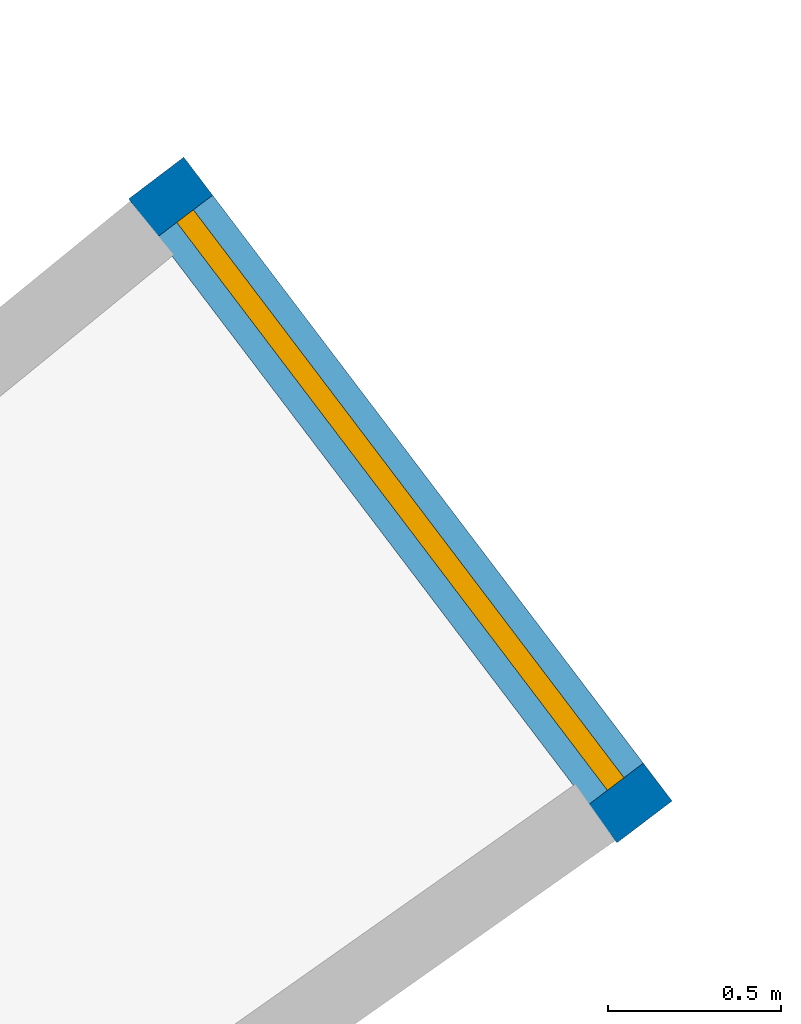
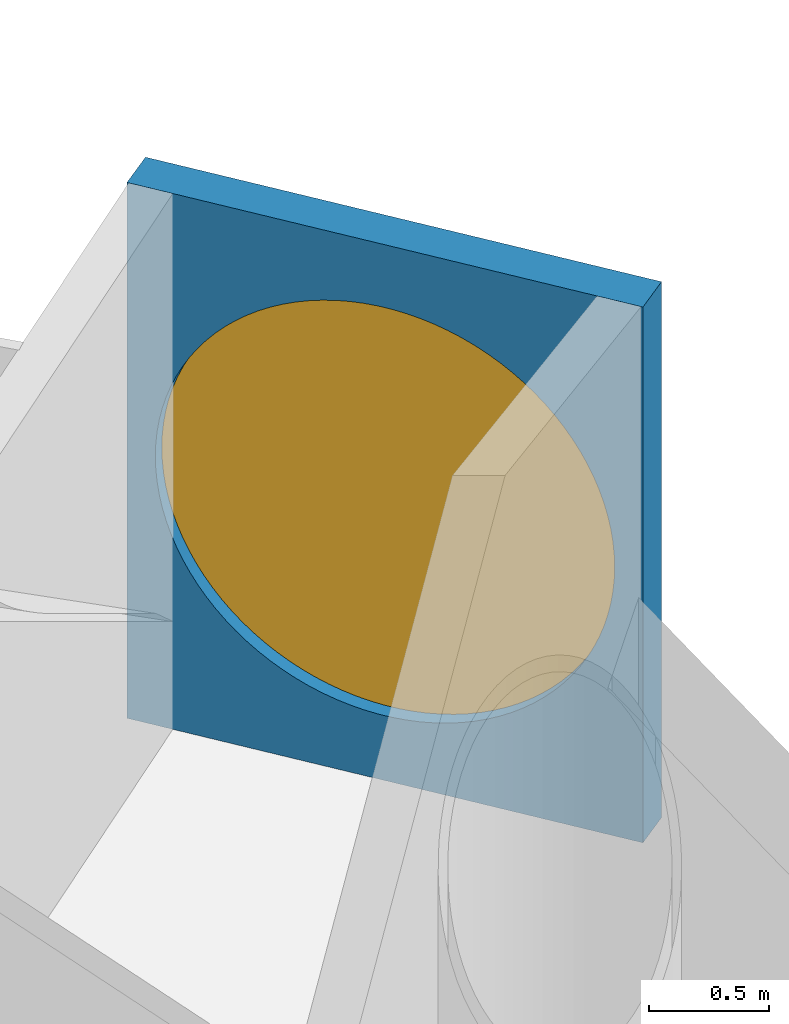
# One storey, part 23 of 26: 1 wall, 1 window, 1 opening.
"""IFC4 building model written with IfcOpenShell, lengths in metres."""

from ifc_helpers import new_model, si_unit, direction, frame, frame_2d, origin, place, context, subcontext, project, spatial, rectangle, circle, extrude, material, layer, layer_set, type_object, element, fill, save


model = new_model("IFC4")

# Units and contexts
model_context = context("Model", 3, precision=1e-05, world=origin(), true_north=direction((0.0, 1.0)))
body_context = subcontext(model_context, "Body", "Model", "MODEL_VIEW")
ifc_project = project(units=[si_unit("LENGTHUNIT", "METRE"), si_unit("AREAUNIT", "SQUARE_METRE"), si_unit("VOLUMEUNIT", "CUBIC_METRE"), si_unit("PLANEANGLEUNIT", "RADIAN"), si_unit("MASSUNIT", "GRAM", prefix="KILO")], contexts=[model_context])

# Site, building, storey
site_placement = place(None, origin())
site = spatial("IfcSite", under=ifc_project, at=site_placement, CompositionType="ELEMENT")
building_placement = place(site_placement, origin())
building = spatial("IfcBuilding", under=site, at=building_placement, Name="Maasbend Ring Residences", CompositionType="ELEMENT")
storey_placement = place(building_placement, frame((0.0, 0.0, 78.85009765625)))
storey = spatial("IfcBuildingStorey", under=building, at=storey_placement, Name="L22", CompositionType="ELEMENT", Elevation=78.85009765625)

# Wall, opening, window
ifc_material_1 = material(Name="Pale anodised aluminium panel", Category="aluminium")
ifc_layer = layer(ifc_material_1, 0.199951171875)
ifc_layer_set = layer_set([ifc_layer], Name="EW-BOX")
wall_type = type_object("IfcWallType", Name="EW-BOX", PredefinedType="SOLIDWALL", material=ifc_layer_set)
wall_placement = place(storey_placement, frame((24.908935546875, 17.427001953125, -0.030029296875), z_axis=(0.0, 0.0, 1.0), x_axis=(-0.60418752353, 0.796842165306, 0.0)))
wall = element("IfcWall", 1, at=wall_placement, inside=storey, type_object=wall_type, Name="Box front N01", PredefinedType="SOLIDWALL", context=body_context, shape_type="SweptSolid", body=[
    extrude(rectangle(XDim=2.3369140625, YDim=0.199951171875, at=frame_2d((1.16845703125, 0.0))), origin(), (0.0, 0.0, 1.0), 2.72998046875),
])
opening_placement = place(wall_placement, frame((0.128173828125, 0.0, 0.330078125)))
opening = element("IfcOpeningElement", 2, at=opening_placement, cuts=wall, Name="Opening W-RD", PredefinedType="OPENING", context=body_context, shape_type="SweptSolid", body=[
    extrude(circle(Radius=1.0400390625, at=frame_2d((1.0400390625, 1.0400390625))), frame((0.0, 0.10986328125, 0.0), z_axis=(0.0, -1.0, 0.0), x_axis=(1.0, 0.0, 0.0)), (0.0, 0.0, 1.0), 0.219970703125),
])
ifc_material_2 = material(Name="Aluminium and clear glass", Category="aluminium")
window_type = type_object("IfcWindowType", Name="W-RD", PartitioningType="SINGLE_PANEL", PredefinedType="WINDOW", material=ifc_material_2)
window_placement = place(opening_placement, origin())
window = element("IfcWindow", 3, at=window_placement, inside=storey, type_object=window_type, Name="Round window N01", OverallHeight=2.080078125, OverallWidth=2.080078125, PartitioningType="SINGLE_PANEL", PredefinedType="WINDOW", context=body_context, shape_type="SweptSolid", body=[
    extrude(circle(Radius=1.0400390625, at=frame_2d((1.0400390625, 1.0400390625))), frame((0.0, 0.030029296875, 0.0), z_axis=(0.0, -1.0, 0.0), x_axis=(1.0, 0.0, 0.0)), (0.0, 0.0, 1.0), 0.06005859375),
])
fill(opening, window)

save(model, "model.ifc")
